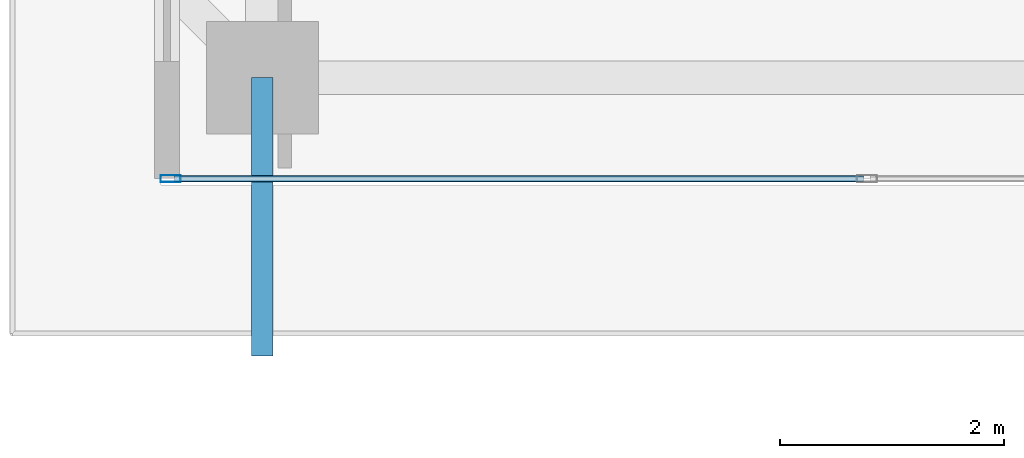
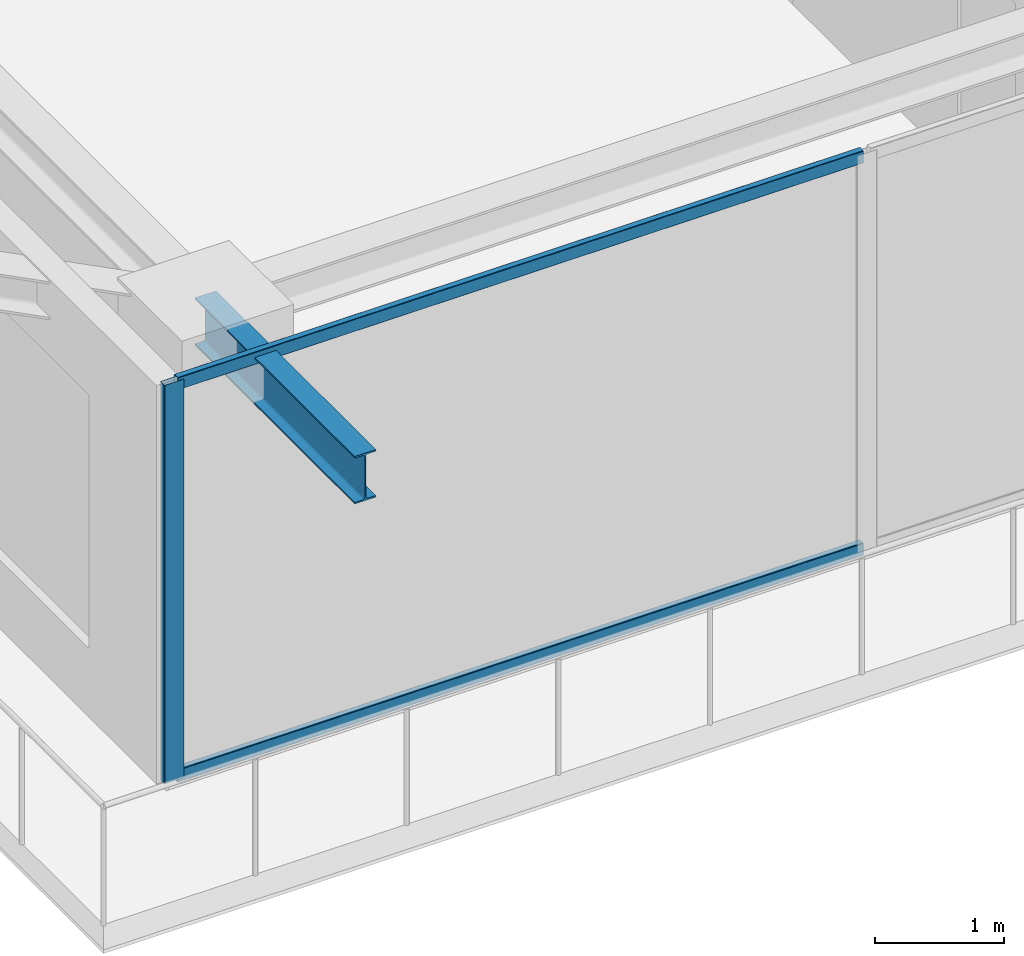
# One storey, part 2 of 37: 3 members, 1 beam, 1 element without a shape of its own.
"""IFC4 building model written with IfcOpenShell, lengths in metres."""

from ifc_helpers import new_model, si_unit, direction, frame, origin, origin_2d, place, context, subcontext, project, spatial, hollow_rectangle, i_section, extrude, source, transform, mapped, material, layer, layer_set, material_profile, profile_set, type_object, element, aggregate, save


model = new_model("IFC4")

# Units and contexts
model_context = context("Model", 3, precision=1e-05, world=origin(), true_north=direction((0.0, 1.0)))
body_context = subcontext(model_context, "Body", "Model", "MODEL_VIEW")
ifc_project = project(units=[si_unit("LENGTHUNIT", "METRE"), si_unit("AREAUNIT", "SQUARE_METRE"), si_unit("VOLUMEUNIT", "CUBIC_METRE"), si_unit("PLANEANGLEUNIT", "RADIAN"), si_unit("MASSUNIT", "GRAM", prefix="KILO")], contexts=[model_context])

# Site, building, storey
site_placement = place(None, origin())
site = spatial("IfcSite", under=ifc_project, at=site_placement, CompositionType="ELEMENT")
building_placement = place(site_placement, origin())
building = spatial("IfcBuilding", under=site, at=building_placement, Name="Serunith Strait Residences", CompositionType="ELEMENT")
storey_placement = place(building_placement, frame((0.0, 0.0, 317.75)))
storey = spatial("IfcBuildingStorey", under=building, at=storey_placement, Name="L79", CompositionType="ELEMENT", Elevation=317.75)

# Beam
ifc_material_1 = material(Name="Steel S355J2", Category="steel")
ifc_material_profile_1 = material_profile(ifc_material_1, i_section(OverallWidth=0.18994140625, OverallDepth=0.449951171875, WebThickness=0.009521484375, FlangeThickness=0.0146484375, FilletRadius=0.02099609375, at=origin_2d()), Name="IPE 450")
ifc_profile_set_1 = profile_set([ifc_material_profile_1], Name="Steel S355J2")
beam_type = type_object("IfcBeamType", Name="BM-IPE450", PredefinedType="JOIST", material=ifc_profile_set_1)
shared_shape_1 = source(origin(), body_context, "Body", "SweptSolid", [
    extrude(i_section(OverallWidth=0.18994140625, OverallDepth=0.449951171875, WebThickness=0.009521484375, FlangeThickness=0.0146484375, FilletRadius=0.02099609375, at=origin_2d()), origin(), (0.0, 0.0, 1.0), 2.4794921875),
])
beam_placement = place(storey_placement, frame((17.64990234375, 3.300048828125, 3.531982421875), z_axis=(0.0, -1.0, 0.0), x_axis=(1.0, 0.0, 0.0)))
element("IfcBeam", 1, at=beam_placement, inside=storey, type_object=beam_type, Name="L80 Cantilevered Balcony Rib TC-S1", PredefinedType="JOIST", context=body_context, shape_type="MappedRepresentation", body=[
    mapped(shared_shape_1, transform((0.0, 0.0, 0.0), scale=1.0)),
])

# Curtain wall, members
ifc_material_2 = material(Name="Brushed Stainless-Silver Aluminium", Category="aluminium")
ifc_layer = layer(ifc_material_2, 0.199951171875, Name="Brushed Stainless-Silver Aluminium")
ifc_layer_set = layer_set([ifc_layer], Name="Brushed Stainless-Silver Aluminium")
curtain_wall_type = type_object("IfcCurtainWallType", Name="CW-SYS5", PredefinedType="NOTDEFINED", material=ifc_layer_set)
curtain_wall_placement = place(storey_placement, origin())
curtain_wall = element("IfcCurtainWall", 2, at=curtain_wall_placement, inside=storey, type_object=curtain_wall_type, Name="L79 S Unitised Fritted Curtain Wall", PredefinedType="NOTDEFINED")
ifc_material_profile_2 = material_profile(ifc_material_2, hollow_rectangle(XDim=0.06005859375, YDim=0.1201171875, WallThickness=0.00341796875, InnerFilletRadius=0.00537109375, OuterFilletRadius=0.0087890625, at=origin_2d()), Name="ALU 120x60x3.5")
ifc_profile_set_2 = profile_set([ifc_material_profile_2], Name="Brushed Stainless-Silver Aluminium")
member_type_1 = type_object("IfcMemberType", Name="CW-SYS5-TRAN", PredefinedType="USERDEFINED", material=ifc_profile_set_2)
shared_shape_2 = source(origin(), body_context, "Body", "SweptSolid", [
    extrude(hollow_rectangle(XDim=0.06005859375, YDim=0.1201171875, WallThickness=0.00341796875, InnerFilletRadius=0.00537109375, OuterFilletRadius=0.0087890625, at=origin_2d()), origin(), (0.0, 0.0, 1.0), 6.142578125),
])
member_1_placement = place(storey_placement, frame((16.864990234375, 2.39990234375, 0.030029296875), z_axis=(1.0, 0.0, 0.0), x_axis=(0.0, 1.0, 0.0)))
member_1 = element("IfcMember", 3, at=member_1_placement, type_object=member_type_1, Name="CW-5 transom 1.1", ObjectType="TRANSOM", PredefinedType="USERDEFINED", context=body_context, shape_type="MappedRepresentation", body=[
    mapped(shared_shape_2, transform((0.0, 0.0, 0.0), scale=1.0)),
])
member_2_placement = place(storey_placement, frame((16.864990234375, 2.39990234375, 3.7451171875), z_axis=(1.0, 0.0, 0.0), x_axis=(0.0, 1.0, 0.0)))
member_2 = element("IfcMember", 4, at=member_2_placement, type_object=member_type_1, Name="CW-5 transom 1.2", ObjectType="TRANSOM", PredefinedType="USERDEFINED", context=body_context, shape_type="MappedRepresentation", body=[
    mapped(shared_shape_2, transform((0.0, 0.0, 0.0), scale=1.0)),
])
ifc_material_profile_3 = material_profile(ifc_material_2, hollow_rectangle(XDim=0.06494140625, YDim=0.179931640625, WallThickness=0.00341796875, InnerFilletRadius=0.00537109375, OuterFilletRadius=0.0087890625, at=origin_2d()), Name="ALU 180x65x3.5")
ifc_profile_set_3 = profile_set([ifc_material_profile_3], Name="Brushed Stainless-Silver Aluminium")
member_type_2 = type_object("IfcMemberType", Name="CW-SYS5-MULL", PredefinedType="MULLION", material=ifc_profile_set_3)
shared_shape_3 = source(origin(), body_context, "Body", "SweptSolid", [
    extrude(hollow_rectangle(XDim=0.06494140625, YDim=0.179931640625, WallThickness=0.00341796875, InnerFilletRadius=0.00537109375, OuterFilletRadius=0.0087890625, at=origin_2d()), origin(), (0.0, 0.0, 1.0), 3.77490234375),
])
member_3_placement = place(storey_placement, frame((16.83251953125, 2.39990234375, 0.0), z_axis=(0.0, 0.0, 1.0), x_axis=(0.0, 1.0, 0.0)))
member_3 = element("IfcMember", 5, at=member_3_placement, type_object=member_type_2, Name="CW-5 mullion 1", PredefinedType="MULLION", context=body_context, shape_type="MappedRepresentation", body=[
    mapped(shared_shape_3, transform((0.0, 0.0, 0.0), scale=1.0)),
])
aggregate(curtain_wall, [member_3, member_1, member_2])

save(model, "model.ifc")
